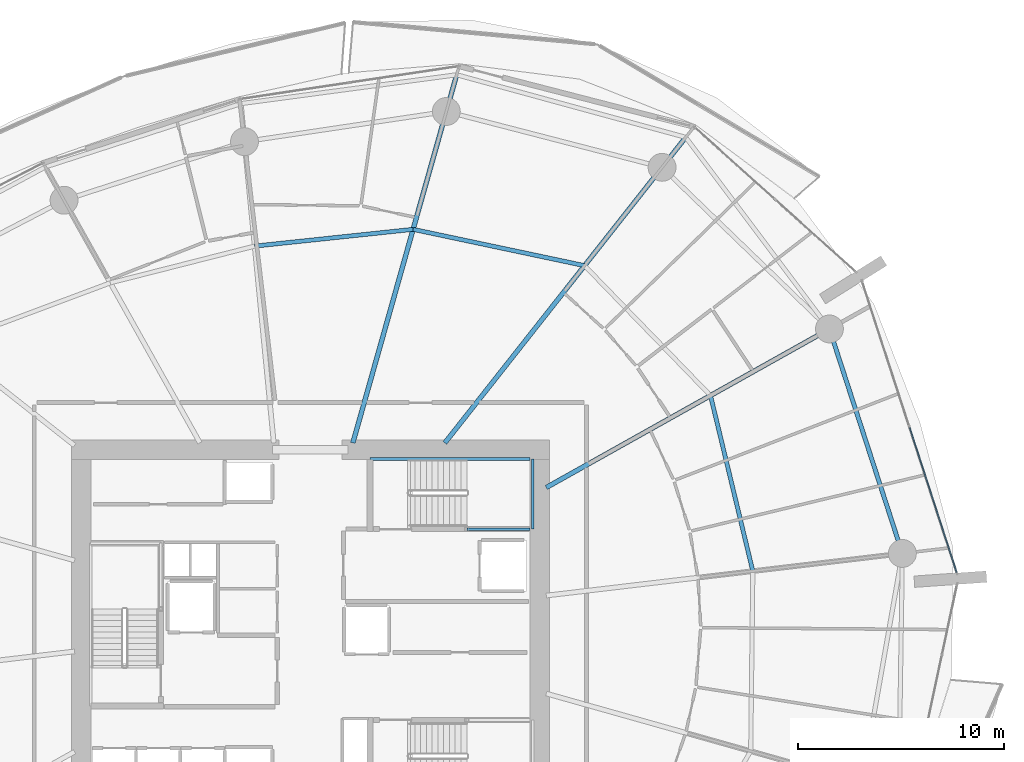
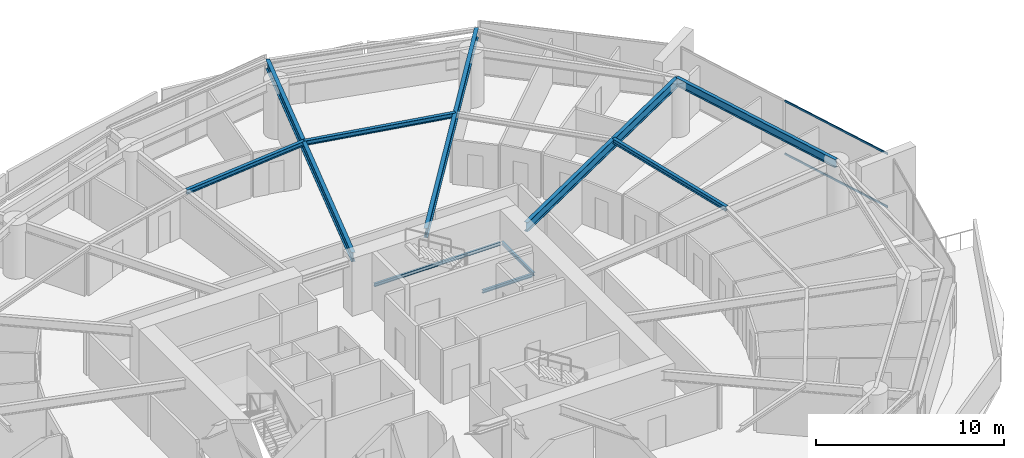
# One storey, part 14 of 31: 10 beams, 2 members, 1 element without a shape of its own.
"""IFC4 building model written with IfcOpenShell, lengths in metres."""

from ifc_helpers import new_model, si_unit, direction, frame, origin, origin_2d, place, context, subcontext, project, spatial, rectangle, i_section, extrude, material, layer, layer_set, material_profile, profile_set, type_object, element, aggregate, save


model = new_model("IFC4")

# Units and contexts
model_context = context("Model", 3, precision=1e-05, world=origin(), true_north=direction((0.0, 1.0)))
body_context = subcontext(model_context, "Body", "Model", "MODEL_VIEW")
ifc_project = project(units=[si_unit("LENGTHUNIT", "METRE"), si_unit("AREAUNIT", "SQUARE_METRE"), si_unit("VOLUMEUNIT", "CUBIC_METRE"), si_unit("PLANEANGLEUNIT", "RADIAN"), si_unit("MASSUNIT", "GRAM", prefix="KILO")], contexts=[model_context])

# Site, building, storey
site_placement = place(None, origin())
site = spatial("IfcSite", under=ifc_project, at=site_placement, CompositionType="ELEMENT")
building_placement = place(site_placement, origin())
building = spatial("IfcBuilding", under=site, at=building_placement, Name="Kazma Halo Residences", CompositionType="ELEMENT")
storey_placement = place(building_placement, frame((0.0, 0.0, 60.14990234375)))
storey = spatial("IfcBuildingStorey", under=building, at=storey_placement, Name="L14", CompositionType="ELEMENT", Elevation=60.14990234375)

# Beams
ifc_material_1 = material(Name="Steel S355", Category="steel")
ifc_material_profile_1 = material_profile(ifc_material_1, i_section(OverallWidth=0.22802734375, OverallDepth=0.60791015625, WebThickness=0.01123046875, FlangeThickness=0.017333984375, FilletRadius=0.01806640625, at=origin_2d()), Name="W610x113")
ifc_profile_set_1 = profile_set([ifc_material_profile_1], Name="Steel S355")
beam_type_1 = type_object("IfcBeamType", Name="BM-RAD-W610", PredefinedType="BEAM", material=ifc_profile_set_1)
beam_1_placement = place(storey_placement, frame((59.85009765625, 48.63623046875, 3.196044921875), z_axis=(0.872489859828, 0.48863221803, 0.0), x_axis=(-0.48863221803, 0.872489859828, 0.0)))
element("IfcBeam", 1, at=beam_1_placement, inside=storey, type_object=beam_type_1, Name="L14 radial floor beam 01", PredefinedType="BEAM", context=body_context, shape_type="SweptSolid", body=[
    extrude(i_section(OverallWidth=0.22802734375, OverallDepth=0.60791015625, WebThickness=0.01123046875, FlangeThickness=0.017333984375, FilletRadius=0.01806640625, at=origin_2d()), origin(), (0.0, 0.0, 1.0), 15.71923828125),
])
beam_2_placement = place(storey_placement, frame((54.9375, 50.800048828125, 3.196044921875), z_axis=(0.619092154321, 0.785318345932, 0.0), x_axis=(-0.785318345932, 0.619092154321, 0.0)))
element("IfcBeam", 2, at=beam_2_placement, inside=storey, type_object=beam_type_1, Name="L14 radial floor beam 02", PredefinedType="BEAM", context=body_context, shape_type="SweptSolid", body=[
    extrude(i_section(OverallWidth=0.22802734375, OverallDepth=0.60791015625, WebThickness=0.01123046875, FlangeThickness=0.017333984375, FilletRadius=0.01806640625, at=origin_2d()), origin(), (0.0, 0.0, 1.0), 18.84375),
])
beam_3_placement = place(storey_placement, frame((50.48193359375, 50.800048828125, 3.196044921875), z_axis=(0.271442010129, 0.962454796412, 0.0), x_axis=(-0.962454796412, 0.271442010129, 0.0)))
element("IfcBeam", 3, at=beam_3_placement, inside=storey, type_object=beam_type_1, Name="L14 radial floor beam 03", PredefinedType="BEAM", context=body_context, shape_type="SweptSolid", body=[
    extrude(i_section(OverallWidth=0.22802734375, OverallDepth=0.60791015625, WebThickness=0.01123046875, FlangeThickness=0.017333984375, FilletRadius=0.01806640625, at=origin_2d()), origin(), (0.0, 0.0, 1.0), 18.525390625),
])
ifc_material_profile_2 = material_profile(ifc_material_1, i_section(OverallWidth=0.202880859375, OverallDepth=0.302978515625, WebThickness=0.007568359375, FlangeThickness=0.01318359375, FilletRadius=0.013916015625, at=origin_2d()), Name="W310x60")
ifc_profile_set_2 = profile_set([ifc_material_profile_2], Name="Steel S355")
beam_type_2 = type_object("IfcBeamType", Name="BM-SEC-W310A", PredefinedType="JOIST", material=ifc_profile_set_2)
beam_4_placement = place(storey_placement, frame((61.703857421875, 59.383056640625, 3.3486328125), z_axis=(-0.97831665719, 0.207114746615, 0.0), x_axis=(-0.207114746615, -0.97831665719, 0.0)))
element("IfcBeam", 4, at=beam_4_placement, inside=storey, type_object=beam_type_2, Name="L14 circumferential floor joist 02", PredefinedType="JOIST", context=body_context, shape_type="SweptSolid", body=[
    extrude(i_section(OverallWidth=0.202880859375, OverallDepth=0.302978515625, WebThickness=0.007568359375, FlangeThickness=0.01318359375, FilletRadius=0.013916015625, at=origin_2d()), origin(), (0.0, 0.0, 1.0), 8.489501953125),
])
beam_5_placement = place(storey_placement, frame((53.3984375, 61.141357421875, 3.3486328125), z_axis=(-0.994456114777, -0.10515244069, 0.0), x_axis=(0.10515244069, -0.994456114777, 0.0)))
element("IfcBeam", 5, at=beam_5_placement, inside=storey, type_object=beam_type_2, Name="L14 circumferential floor joist 03", PredefinedType="JOIST", context=body_context, shape_type="SweptSolid", body=[
    extrude(i_section(OverallWidth=0.202880859375, OverallDepth=0.302978515625, WebThickness=0.007568359375, FlangeThickness=0.01318359375, FilletRadius=0.013916015625, at=origin_2d()), origin(), (0.0, 0.0, 1.0), 7.717529296875),
])
beam_6_placement = place(storey_placement, frame((69.853759765625, 44.586669921875, 3.3486328125), z_axis=(-0.234233116199, 0.972180460242, 0.0), x_axis=(-0.972180460242, -0.234233116199, 0.0)))
element("IfcBeam", 6, at=beam_6_placement, inside=storey, type_object=beam_type_2, Name="L14 circumferential floor joist 16", PredefinedType="JOIST", context=body_context, shape_type="SweptSolid", body=[
    extrude(i_section(OverallWidth=0.202880859375, OverallDepth=0.302978515625, WebThickness=0.007568359375, FlangeThickness=0.01318359375, FilletRadius=0.013916015625, at=origin_2d()), origin(), (0.0, 0.0, 1.0), 8.748046875),
])
ifc_material_profile_3 = material_profile(ifc_material_1, i_section(OverallWidth=0.208984375, OverallDepth=0.532958984375, WebThickness=0.01025390625, FlangeThickness=0.015625, FilletRadius=0.01611328125, at=origin_2d()), Name="W530x92")
ifc_profile_set_3 = profile_set([ifc_material_profile_3], Name="Steel S355")
beam_type_3 = type_object("IfcBeamType", Name="BM-SPN-W530", PredefinedType="BEAM", material=ifc_profile_set_3)
beam_7_placement = place(storey_placement, frame((77.097900390625, 45.444091796875, 3.233642578125), z_axis=(-0.309024264898, 0.951054153928, 0.0), x_axis=(-0.951054153928, -0.309024264898, 0.0)))
element("IfcBeam", 7, at=beam_7_placement, inside=storey, type_object=beam_type_3, Name="L14 perimeter ring beam 16", PredefinedType="BEAM", context=body_context, shape_type="SweptSolid", body=[
    extrude(i_section(OverallWidth=0.208984375, OverallDepth=0.532958984375, WebThickness=0.01025390625, FlangeThickness=0.015625, FilletRadius=0.01611328125, at=origin_2d()), origin(), (0.0, 0.0, 1.0), 11.4326171875),
])
ifc_material_profile_4 = material_profile(ifc_material_1, i_section(OverallWidth=0.133056640625, OverallDepth=0.20703125, WebThickness=0.005859375, FlangeThickness=0.00830078125, FilletRadius=0.010009765625, at=origin_2d()), Name="W200x26.6")
ifc_profile_set_4 = profile_set([ifc_material_profile_4], Name="Steel S355")
beam_type_4 = type_object("IfcBeamType", Name="BM-TRIM-W200", PredefinedType="BEAM", material=ifc_profile_set_4)
beam_8_placement = place(storey_placement, frame((51.31005859375, 50.02001953125, 1.570068359375), z_axis=(1.0, 0.0, 0.0), x_axis=(0.0, 1.0, 0.0)))
element("IfcBeam", 8, at=beam_8_placement, inside=storey, type_object=beam_type_4, Name="L14 ST-02 landing north wall ledger", PredefinedType="BEAM", context=body_context, shape_type="SweptSolid", body=[
    extrude(i_section(OverallWidth=0.133056640625, OverallDepth=0.20703125, WebThickness=0.005859375, FlangeThickness=0.00830078125, FilletRadius=0.010009765625, at=origin_2d()), origin(), (0.0, 0.0, 1.0), 7.760009765625),
])
beam_9_placement = place(storey_placement, frame((56.0, 46.6201171875, 1.570068359375), z_axis=(1.0, 0.0, 0.0), x_axis=(0.0, 1.0, 0.0)))
element("IfcBeam", 9, at=beam_9_placement, inside=storey, type_object=beam_type_4, Name="L14 ST-02 landing south wall ledger", PredefinedType="BEAM", context=body_context, shape_type="SweptSolid", body=[
    extrude(i_section(OverallWidth=0.133056640625, OverallDepth=0.20703125, WebThickness=0.005859375, FlangeThickness=0.00830078125, FilletRadius=0.010009765625, at=origin_2d()), origin(), (0.0, 0.0, 1.0), 3.070068359375),
])
beam_10_placement = place(storey_placement, frame((59.18994140625, 46.6201171875, 1.570068359375), z_axis=(0.0, 1.0, 0.0), x_axis=(-1.0, 0.0, 0.0)))
element("IfcBeam", 10, at=beam_10_placement, inside=storey, type_object=beam_type_4, Name="L14 ST-02 landing end wall ledger", PredefinedType="BEAM", context=body_context, shape_type="SweptSolid", body=[
    extrude(i_section(OverallWidth=0.133056640625, OverallDepth=0.20703125, WebThickness=0.005859375, FlangeThickness=0.00830078125, FilletRadius=0.010009765625, at=origin_2d()), origin(), (0.0, 0.0, 1.0), 3.39990234375),
])

# Curtain wall, members
ifc_material_2 = material(Name="Aluminium AW-6063 T6 and Triple-Silver Low-E Glass", Category="aluminium")
ifc_layer = layer(ifc_material_2, 0.159912109375)
ifc_layer_set = layer_set([ifc_layer], Name="Aluminium AW-6063 T6 and Triple-Silver Low-E Glass")
curtain_wall_type = type_object("IfcCurtainWallType", Name="CW-SYS-2", PredefinedType="NOTDEFINED", material=ifc_layer_set)
curtain_wall_placement = place(storey_placement, origin())
curtain_wall = element("IfcCurtainWall", 11, at=curtain_wall_placement, inside=storey, type_object=curtain_wall_type, Name="L14 unitised curtain wall B16", PredefinedType="NOTDEFINED")
ifc_material_3 = material(Name="Aluminium AW-6063 T6", Category="aluminium")
ifc_material_profile_5 = material_profile(ifc_material_3, rectangle(XDim=0.06005859375, YDim=0.1201171875, at=origin_2d()), Name="CWT-60x120")
ifc_profile_set_5 = profile_set([ifc_material_profile_5], Name="Aluminium AW-6063 T6")
member_type = type_object("IfcMemberType", Name="CW-SYS-2-TRN", PredefinedType="USERDEFINED", material=ifc_profile_set_5)
member_1_placement = place(storey_placement, frame((79.72900390625, 44.52783203125, 0.030029296875), z_axis=(-0.309034393795, 0.951050862705, 0.0), x_axis=(-0.951050862705, -0.309034393795, 0.0)))
member_1 = element("IfcMember", 12, at=member_1_placement, type_object=member_type, Name="CWS-2 transom 1.1", ObjectType="TRANSOM", PredefinedType="USERDEFINED", context=body_context, shape_type="SweptSolid", body=[
    extrude(rectangle(XDim=0.06005859375, YDim=0.1201171875, at=origin_2d()), origin(), (0.0, 0.0, 1.0), 7.370849609375),
])
member_2_placement = place(storey_placement, frame((79.72900390625, 44.52783203125, 3.47021484375), z_axis=(-0.309034393795, 0.951050862705, 0.0), x_axis=(-0.951050862705, -0.309034393795, 0.0)))
member_2 = element("IfcMember", 13, at=member_2_placement, type_object=member_type, Name="CWS-2 transom 1.2", ObjectType="TRANSOM", PredefinedType="USERDEFINED", context=body_context, shape_type="SweptSolid", body=[
    extrude(rectangle(XDim=0.06005859375, YDim=0.1201171875, at=origin_2d()), origin(), (0.0, 0.0, 1.0), 7.370849609375),
])
aggregate(curtain_wall, [member_1, member_2])

save(model, "model.ifc")
